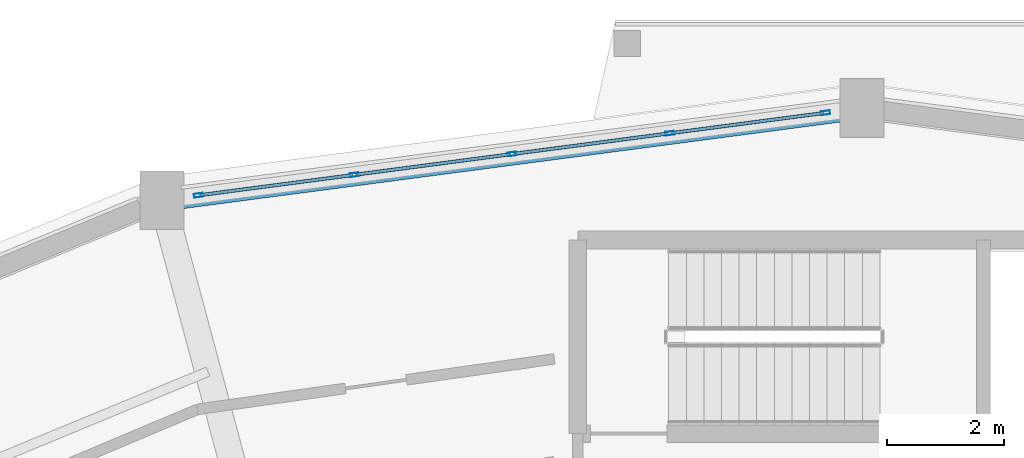
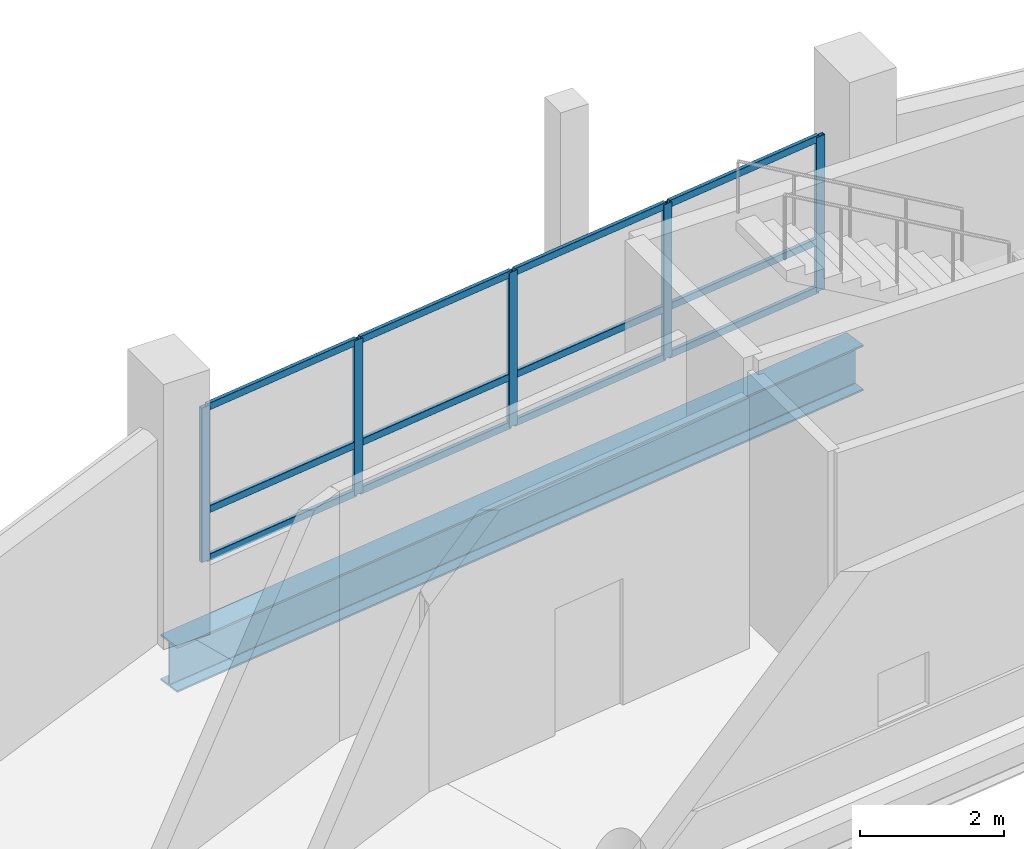
# One storey, part 60 of 129: 17 members, 1 beam, 1 element without a shape of its own.
"""IFC4 building model written with IfcOpenShell, lengths in metres."""

from ifc_helpers import new_model, si_unit, direction, frame, origin, origin_2d, place, context, subcontext, project, spatial, hollow_rectangle, i_section, extrude, material, layer, layer_set, material_profile, profile_set, type_object, element, aggregate, save


model = new_model("IFC4")

# Units and contexts
model_context = context("Model", 3, precision=1e-05, world=origin(), true_north=direction((0.0, 1.0)))
body_context = subcontext(model_context, "Body", "Model", "MODEL_VIEW")
ifc_project = project(units=[si_unit("LENGTHUNIT", "METRE"), si_unit("AREAUNIT", "SQUARE_METRE"), si_unit("VOLUMEUNIT", "CUBIC_METRE"), si_unit("PLANEANGLEUNIT", "RADIAN"), si_unit("MASSUNIT", "GRAM", prefix="KILO")], contexts=[model_context])

# Site, building, storey
site_placement = place(None, origin())
site = spatial("IfcSite", under=ifc_project, at=site_placement, CompositionType="ELEMENT")
building_placement = place(site_placement, origin())
building = spatial("IfcBuilding", under=site, at=building_placement, Name="Vespera Passage Community Centre", CompositionType="ELEMENT")
storey_placement = place(building_placement, origin())
storey = spatial("IfcBuildingStorey", under=building, at=storey_placement, Name="L00", CompositionType="ELEMENT", Elevation=0.0)

# Beam
ifc_material_1 = material(Name="Steel ASTM A992 Grade 50", Category="steel")
ifc_material_profile_1 = material_profile(ifc_material_1, i_section(OverallWidth=0.382080078125, OverallDepth=0.779296875, WebThickness=0.01806640625, FlangeThickness=0.030029296875, FilletRadius=0.0166015625, at=origin_2d()), Name="W30X191")
ifc_profile_set_1 = profile_set([ifc_material_profile_1], Name="Steel ASTM A992 Grade 50")
beam_type = type_object("IfcBeamType", Name="BM-SP-W30X191E", PredefinedType="SPANDREL", material=ifc_profile_set_1)
beam_placement = place(storey_placement, frame((78.0, 111.60009765625, -0.669677734375), z_axis=(-0.991445178667, -0.130523782115, 0.0), x_axis=(0.130523782115, -0.991445178667, 0.0)))
element("IfcBeam", 1, at=beam_placement, inside=storey, type_object=beam_type, Name="V4 L00 Outer Spandrel 6", PredefinedType="SPANDREL", context=body_context, shape_type="SweptSolid", body=[
    extrude(i_section(OverallWidth=0.382080078125, OverallDepth=0.779296875, WebThickness=0.01806640625, FlangeThickness=0.030029296875, FilletRadius=0.0166015625, at=origin_2d()), origin(), (0.0, 0.0, 1.0), 12.03466796875),
])

# Curtain wall, members
ifc_material_2 = material(Name="Anodized aluminium 6063-T6", Category="aluminium")
ifc_layer = layer(ifc_material_2, 0.159912109375)
ifc_layer_set = layer_set([ifc_layer], Name="Anodized aluminium 6063-T6")
curtain_wall_type = type_object("IfcCurtainWallType", Name="CW-03E", PredefinedType="NOTDEFINED", material=ifc_layer_set)
curtain_wall_placement = place(storey_placement, origin())
curtain_wall = element("IfcCurtainWall", 2, at=curtain_wall_placement, inside=storey, type_object=curtain_wall_type, Name="V4 L00 Outer Ribbon Curtain Wall 6", PredefinedType="NOTDEFINED")
ifc_material_3 = material(Name="Anodized aluminium 6063-T6", Category="aluminium")
ifc_material_profile_2 = material_profile(ifc_material_3, hollow_rectangle(XDim=0.06494140625, YDim=0.14990234375, WallThickness=0.00390625, InnerFilletRadius=0.001953125, OuterFilletRadius=0.00390625, at=origin_2d()), Name="ALU150X65X4")
ifc_profile_set_2 = profile_set([ifc_material_profile_2], Name="Anodized aluminium 6063-T6")
member_type_1 = type_object("IfcMemberType", Name="MB-CWM-150E", PredefinedType="MULLION", material=ifc_profile_set_2)
member_1_placement = place(storey_placement, frame((66.688720703125, 110.11083984375, 0.820068359375), z_axis=(0.0, 0.0, 1.0), x_axis=(-0.130530818696, 0.991444252276, 0.0)))
member_1 = element("IfcMember", 3, at=member_1_placement, type_object=member_type_1, Name="CW-03E mullion 1", PredefinedType="MULLION", context=body_context, shape_type="SweptSolid", body=[
    extrude(hollow_rectangle(XDim=0.06494140625, YDim=0.14990234375, WallThickness=0.00390625, InnerFilletRadius=0.001953125, OuterFilletRadius=0.00390625, at=origin_2d()), origin(), (0.0, 0.0, 1.0), 2.62548828125),
])
member_2_placement = place(storey_placement, frame((69.345458984375, 110.460693359375, 0.820068359375), z_axis=(0.0, 0.0, 1.0), x_axis=(-0.130530818696, 0.991444252276, 0.0)))
member_2 = element("IfcMember", 4, at=member_2_placement, type_object=member_type_1, Name="CW-03E mullion 2", PredefinedType="MULLION", context=body_context, shape_type="SweptSolid", body=[
    extrude(hollow_rectangle(XDim=0.06494140625, YDim=0.14990234375, WallThickness=0.00390625, InnerFilletRadius=0.001953125, OuterFilletRadius=0.00390625, at=origin_2d()), origin(), (0.0, 0.0, 1.0), 2.62548828125),
])
member_3_placement = place(storey_placement, frame((72.0341796875, 110.814697265625, 0.820068359375), z_axis=(0.0, 0.0, 1.0), x_axis=(-0.130530818696, 0.991444252276, 0.0)))
member_3 = element("IfcMember", 5, at=member_3_placement, type_object=member_type_1, Name="CW-03E mullion 3", PredefinedType="MULLION", context=body_context, shape_type="SweptSolid", body=[
    extrude(hollow_rectangle(XDim=0.06494140625, YDim=0.14990234375, WallThickness=0.00390625, InnerFilletRadius=0.001953125, OuterFilletRadius=0.00390625, at=origin_2d()), origin(), (0.0, 0.0, 1.0), 2.62548828125),
])
member_4_placement = place(storey_placement, frame((74.722900390625, 111.168701171875, 0.820068359375), z_axis=(0.0, 0.0, 1.0), x_axis=(-0.130530818696, 0.991444252276, 0.0)))
member_4 = element("IfcMember", 6, at=member_4_placement, type_object=member_type_1, Name="CW-03E mullion 4", PredefinedType="MULLION", context=body_context, shape_type="SweptSolid", body=[
    extrude(hollow_rectangle(XDim=0.06494140625, YDim=0.14990234375, WallThickness=0.00390625, InnerFilletRadius=0.001953125, OuterFilletRadius=0.00390625, at=origin_2d()), origin(), (0.0, 0.0, 1.0), 2.62548828125),
])
member_5_placement = place(storey_placement, frame((77.379638671875, 111.518310546875, 0.820068359375), z_axis=(0.0, 0.0, 1.0), x_axis=(-0.130530818696, 0.991444252276, 0.0)))
member_5 = element("IfcMember", 7, at=member_5_placement, type_object=member_type_1, Name="CW-03E mullion 5", PredefinedType="MULLION", context=body_context, shape_type="SweptSolid", body=[
    extrude(hollow_rectangle(XDim=0.06494140625, YDim=0.14990234375, WallThickness=0.00390625, InnerFilletRadius=0.001953125, OuterFilletRadius=0.00390625, at=origin_2d()), origin(), (0.0, 0.0, 1.0), 2.62548828125),
])
ifc_material_4 = material(Name="Anodized aluminium 6063-T6", Category="aluminium")
ifc_material_profile_3 = material_profile(ifc_material_4, hollow_rectangle(XDim=0.06005859375, YDim=0.1201171875, WallThickness=0.00390625, InnerFilletRadius=0.001953125, OuterFilletRadius=0.00390625, at=origin_2d()), Name="ALU120X60X4")
ifc_profile_set_3 = profile_set([ifc_material_profile_3], Name="Anodized aluminium 6063-T6")
member_type_2 = type_object("IfcMemberType", Name="MB-CWT-120E", PredefinedType="USERDEFINED", material=ifc_profile_set_3)
member_6_placement = place(storey_placement, frame((66.720947265625, 110.114990234375, 0.85009765625), z_axis=(0.991443486455, 0.130536635342, 0.0), x_axis=(-0.130536635342, 0.991443486455, 0.0)))
member_6 = element("IfcMember", 8, at=member_6_placement, type_object=member_type_2, Name="CW-03E transom 1.1", ObjectType="TRANSOM", PredefinedType="USERDEFINED", context=body_context, shape_type="SweptSolid", body=[
    extrude(hollow_rectangle(XDim=0.06005859375, YDim=0.1201171875, WallThickness=0.00390625, InnerFilletRadius=0.001953125, OuterFilletRadius=0.00390625, at=origin_2d()), origin(), (0.0, 0.0, 1.0), 2.61474609375),
])
member_7_placement = place(storey_placement, frame((66.720947265625, 110.114990234375, 1.669921875), z_axis=(0.991443486455, 0.130536635342, 0.0), x_axis=(-0.130536635342, 0.991443486455, 0.0)))
member_7 = element("IfcMember", 9, at=member_7_placement, type_object=member_type_2, Name="CW-03E transom 1.2", ObjectType="TRANSOM", PredefinedType="USERDEFINED", context=body_context, shape_type="SweptSolid", body=[
    extrude(hollow_rectangle(XDim=0.06005859375, YDim=0.1201171875, WallThickness=0.00390625, InnerFilletRadius=0.001953125, OuterFilletRadius=0.00390625, at=origin_2d()), origin(), (0.0, 0.0, 1.0), 2.61474609375),
])
member_8_placement = place(storey_placement, frame((66.720947265625, 110.114990234375, 3.41552734375), z_axis=(0.991443486455, 0.130536635342, 0.0), x_axis=(-0.130536635342, 0.991443486455, 0.0)))
member_8 = element("IfcMember", 10, at=member_8_placement, type_object=member_type_2, Name="CW-03E transom 1.3", ObjectType="TRANSOM", PredefinedType="USERDEFINED", context=body_context, shape_type="SweptSolid", body=[
    extrude(hollow_rectangle(XDim=0.06005859375, YDim=0.1201171875, WallThickness=0.00390625, InnerFilletRadius=0.001953125, OuterFilletRadius=0.00390625, at=origin_2d()), origin(), (0.0, 0.0, 1.0), 2.61474609375),
])
member_9_placement = place(storey_placement, frame((69.377685546875, 110.46484375, 0.85009765625), z_axis=(0.991446445198, 0.130514161313, 0.0), x_axis=(-0.130514161313, 0.991446445198, 0.0)))
member_9 = element("IfcMember", 11, at=member_9_placement, type_object=member_type_2, Name="CW-03E transom 2.1", ObjectType="TRANSOM", PredefinedType="USERDEFINED", context=body_context, shape_type="SweptSolid", body=[
    extrude(hollow_rectangle(XDim=0.06005859375, YDim=0.1201171875, WallThickness=0.00390625, InnerFilletRadius=0.001953125, OuterFilletRadius=0.00390625, at=origin_2d()), origin(), (0.0, 0.0, 1.0), 2.64697265625),
])
member_10_placement = place(storey_placement, frame((69.377685546875, 110.46484375, 1.669921875), z_axis=(0.991446445198, 0.130514161313, 0.0), x_axis=(-0.130514161313, 0.991446445198, 0.0)))
member_10 = element("IfcMember", 12, at=member_10_placement, type_object=member_type_2, Name="CW-03E transom 2.2", ObjectType="TRANSOM", PredefinedType="USERDEFINED", context=body_context, shape_type="SweptSolid", body=[
    extrude(hollow_rectangle(XDim=0.06005859375, YDim=0.1201171875, WallThickness=0.00390625, InnerFilletRadius=0.001953125, OuterFilletRadius=0.00390625, at=origin_2d()), origin(), (0.0, 0.0, 1.0), 2.64697265625),
])
member_11_placement = place(storey_placement, frame((69.377685546875, 110.46484375, 3.41552734375), z_axis=(0.991446445198, 0.130514161313, 0.0), x_axis=(-0.130514161313, 0.991446445198, 0.0)))
member_11 = element("IfcMember", 13, at=member_11_placement, type_object=member_type_2, Name="CW-03E transom 2.3", ObjectType="TRANSOM", PredefinedType="USERDEFINED", context=body_context, shape_type="SweptSolid", body=[
    extrude(hollow_rectangle(XDim=0.06005859375, YDim=0.1201171875, WallThickness=0.00390625, InnerFilletRadius=0.001953125, OuterFilletRadius=0.00390625, at=origin_2d()), origin(), (0.0, 0.0, 1.0), 2.64697265625),
])
member_12_placement = place(storey_placement, frame((72.06640625, 110.81884765625, 0.85009765625), z_axis=(0.991446445198, 0.130514161313, 0.0), x_axis=(-0.130514161313, 0.991446445198, 0.0)))
member_12 = element("IfcMember", 14, at=member_12_placement, type_object=member_type_2, Name="CW-03E transom 3.1", ObjectType="TRANSOM", PredefinedType="USERDEFINED", context=body_context, shape_type="SweptSolid", body=[
    extrude(hollow_rectangle(XDim=0.06005859375, YDim=0.1201171875, WallThickness=0.00390625, InnerFilletRadius=0.001953125, OuterFilletRadius=0.00390625, at=origin_2d()), origin(), (0.0, 0.0, 1.0), 2.64697265625),
])
member_13_placement = place(storey_placement, frame((72.06640625, 110.81884765625, 1.669921875), z_axis=(0.991446445198, 0.130514161313, 0.0), x_axis=(-0.130514161313, 0.991446445198, 0.0)))
member_13 = element("IfcMember", 15, at=member_13_placement, type_object=member_type_2, Name="CW-03E transom 3.2", ObjectType="TRANSOM", PredefinedType="USERDEFINED", context=body_context, shape_type="SweptSolid", body=[
    extrude(hollow_rectangle(XDim=0.06005859375, YDim=0.1201171875, WallThickness=0.00390625, InnerFilletRadius=0.001953125, OuterFilletRadius=0.00390625, at=origin_2d()), origin(), (0.0, 0.0, 1.0), 2.64697265625),
])
member_14_placement = place(storey_placement, frame((72.06640625, 110.81884765625, 3.41552734375), z_axis=(0.991446445198, 0.130514161313, 0.0), x_axis=(-0.130514161313, 0.991446445198, 0.0)))
member_14 = element("IfcMember", 16, at=member_14_placement, type_object=member_type_2, Name="CW-03E transom 3.3", ObjectType="TRANSOM", PredefinedType="USERDEFINED", context=body_context, shape_type="SweptSolid", body=[
    extrude(hollow_rectangle(XDim=0.06005859375, YDim=0.1201171875, WallThickness=0.00390625, InnerFilletRadius=0.001953125, OuterFilletRadius=0.00390625, at=origin_2d()), origin(), (0.0, 0.0, 1.0), 2.64697265625),
])
member_15_placement = place(storey_placement, frame((74.755126953125, 111.1728515625, 0.85009765625), z_axis=(0.991443486455, 0.130536635342, 0.0), x_axis=(-0.130536635342, 0.991443486455, 0.0)))
member_15 = element("IfcMember", 17, at=member_15_placement, type_object=member_type_2, Name="CW-03E transom 4.1", ObjectType="TRANSOM", PredefinedType="USERDEFINED", context=body_context, shape_type="SweptSolid", body=[
    extrude(hollow_rectangle(XDim=0.06005859375, YDim=0.1201171875, WallThickness=0.00390625, InnerFilletRadius=0.001953125, OuterFilletRadius=0.00390625, at=origin_2d()), origin(), (0.0, 0.0, 1.0), 2.61474609375),
])
member_16_placement = place(storey_placement, frame((74.755126953125, 111.1728515625, 1.669921875), z_axis=(0.991443486455, 0.130536635342, 0.0), x_axis=(-0.130536635342, 0.991443486455, 0.0)))
member_16 = element("IfcMember", 18, at=member_16_placement, type_object=member_type_2, Name="CW-03E transom 4.2", ObjectType="TRANSOM", PredefinedType="USERDEFINED", context=body_context, shape_type="SweptSolid", body=[
    extrude(hollow_rectangle(XDim=0.06005859375, YDim=0.1201171875, WallThickness=0.00390625, InnerFilletRadius=0.001953125, OuterFilletRadius=0.00390625, at=origin_2d()), origin(), (0.0, 0.0, 1.0), 2.61474609375),
])
member_17_placement = place(storey_placement, frame((74.755126953125, 111.1728515625, 3.41552734375), z_axis=(0.991443486455, 0.130536635342, 0.0), x_axis=(-0.130536635342, 0.991443486455, 0.0)))
member_17 = element("IfcMember", 19, at=member_17_placement, type_object=member_type_2, Name="CW-03E transom 4.3", ObjectType="TRANSOM", PredefinedType="USERDEFINED", context=body_context, shape_type="SweptSolid", body=[
    extrude(hollow_rectangle(XDim=0.06005859375, YDim=0.1201171875, WallThickness=0.00390625, InnerFilletRadius=0.001953125, OuterFilletRadius=0.00390625, at=origin_2d()), origin(), (0.0, 0.0, 1.0), 2.61474609375),
])
aggregate(curtain_wall, [member_1, member_2, member_3, member_4, member_5, member_6, member_7, member_8, member_9, member_10, member_11, member_12, member_13, member_14, member_15, member_16, member_17])

save(model, "model.ifc")
